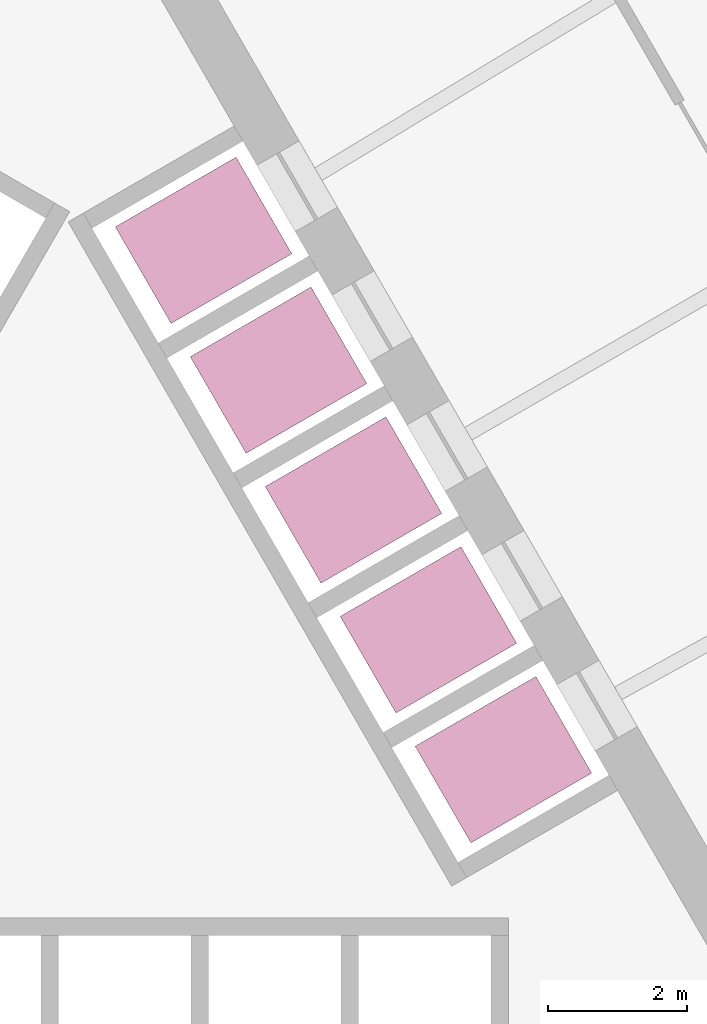
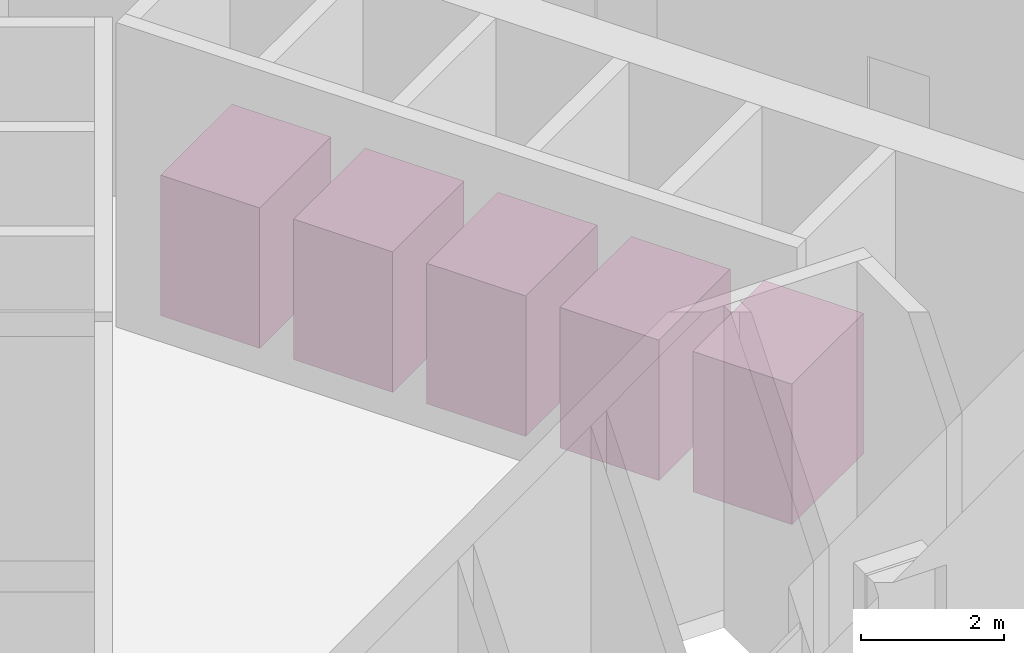
# One storey, part 11 of 11: 5 transport elements.
"""IFC4 building model written with IfcOpenShell, lengths in metres."""

from ifc_helpers import new_model, si_unit, direction, frame, origin, origin_2d, place, context, subcontext, project, spatial, rectangle, extrude, material, type_object, element, save


model = new_model("IFC4")

# Units and contexts
model_context = context("Model", 3, precision=1e-05, world=origin(), true_north=direction((0.0, 1.0)))
body_context = subcontext(model_context, "Body", "Model", "MODEL_VIEW")
ifc_project = project(units=[si_unit("LENGTHUNIT", "METRE"), si_unit("AREAUNIT", "SQUARE_METRE"), si_unit("VOLUMEUNIT", "CUBIC_METRE"), si_unit("PLANEANGLEUNIT", "RADIAN"), si_unit("MASSUNIT", "GRAM", prefix="KILO")], contexts=[model_context])

# Site, building, storey
site_placement = place(None, origin())
site = spatial("IfcSite", under=ifc_project, at=site_placement, CompositionType="ELEMENT")
building_placement = place(site_placement, origin())
building = spatial("IfcBuilding", under=site, at=building_placement, Name="Noor Cloister Tower", CompositionType="ELEMENT")
storey_placement = place(building_placement, frame((0.0, 0.0, 134.699951171875)))
storey = spatial("IfcBuildingStorey", under=building, at=storey_placement, Name="L34", CompositionType="ELEMENT", Elevation=134.699951171875)

# Transport elements
ifc_material = material(Name="Stainless steel", Category="steel")
transport_element_type = type_object("IfcTransportElementType", Name="Lift car HR 1600 kg 1600 x 2000", PredefinedType="ELEVATOR", material=ifc_material)
for number, where, z_axis, x_axis, name in (
    (1, (6.504638671875, -1.209716796875, 0.0), (0.0, 0.0, 1.0), (-0.5, 0.866025403784, 0.0), "High-rise lift HR1"),
    (2, (5.429443359375, 0.652099609375, 0.0), (0.0, 0.0, 1.0), (-0.5, 0.866025403784, 0.0), "High-rise lift HR2"),
    (3, (4.3544921875, 2.51416015625, 0.0), (0.0, 0.0, 1.0), (-0.5, 0.866025403784, 0.0), "High-rise lift HR3"),
    (4, (3.279541015625, 4.3759765625, 0.0), (0.0, 0.0, 1.0), (-0.5, 0.866025403784, 0.0), "High-rise lift HR4"),
    (5, (2.20458984375, 6.238037109375, 0.0), (0.0, 0.0, 1.0), (-0.5, 0.866025403784, 0.0), "High-rise lift HR5"),
):
    element("IfcTransportElement", number, at=place(storey_placement, frame(where, z_axis=z_axis, x_axis=x_axis)), inside=storey, type_object=transport_element_type, Name=name, PredefinedType="ELEVATOR", context=body_context, shape_type="SweptSolid", body=[
        extrude(rectangle(XDim=1.60009765625, YDim=2.0, at=origin_2d()), origin(), (0.0, 0.0, 1.0), 2.39990234375),
    ])

save(model, "model.ifc")
